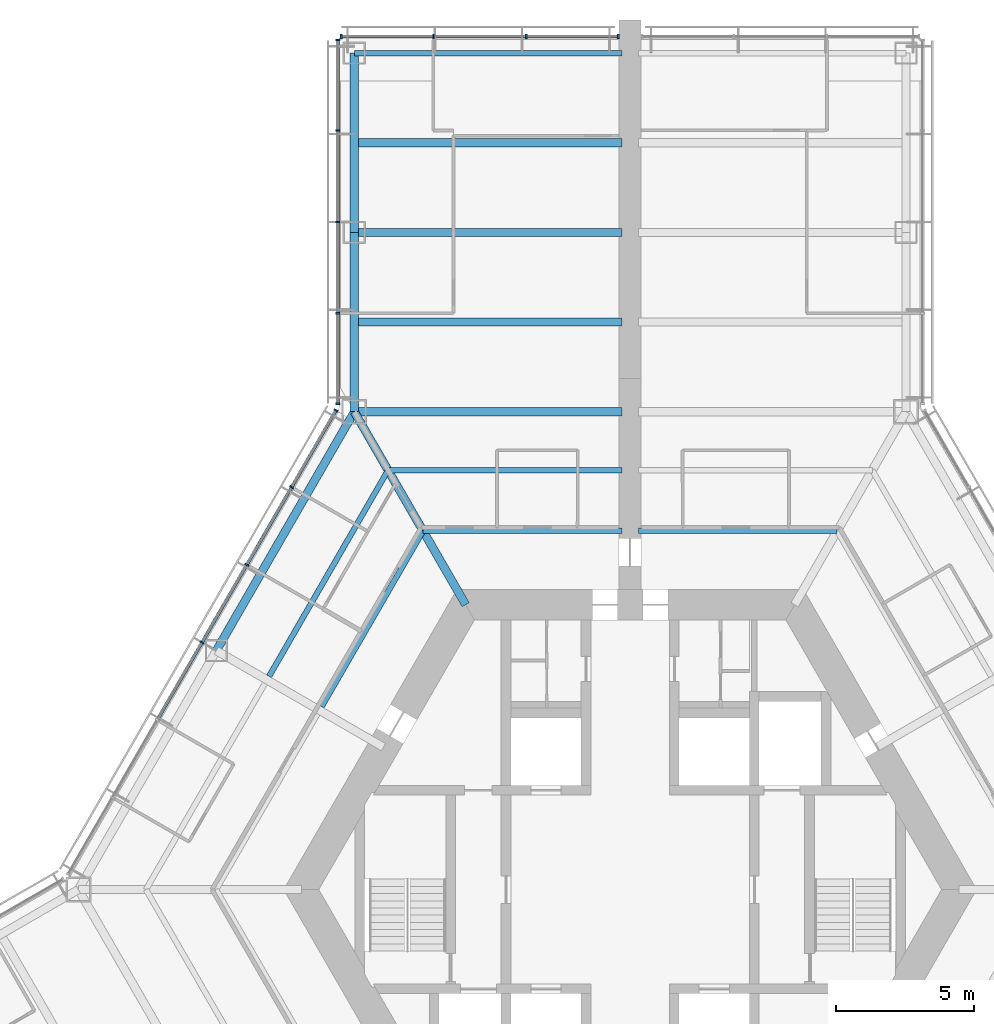
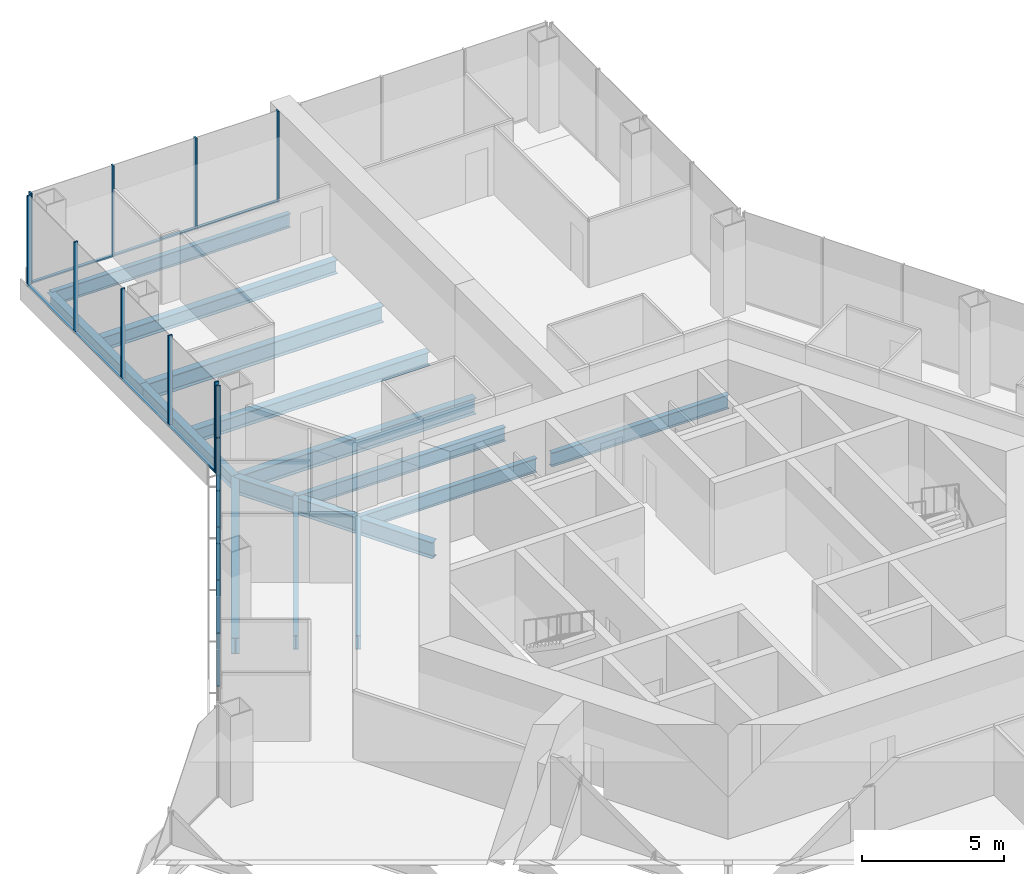
# One storey, part 7 of 18: 24 members, 14 beams, 3 elements without a shape of their own.
"""IFC4 building model written with IfcOpenShell, lengths in metres."""

from ifc_helpers import new_model, si_unit, direction, frame, origin, origin_2d, place, context, subcontext, project, spatial, rectangle, i_section, extrude, material, material_profile, profile_set, type_object, element, aggregate, save


model = new_model("IFC4")

# Units and contexts
model_context = context("Model", 3, precision=1e-05, world=origin(), true_north=direction((0.0, 1.0)))
body_context = subcontext(model_context, "Body", "Model", "MODEL_VIEW")
ifc_project = project(units=[si_unit("LENGTHUNIT", "METRE"), si_unit("AREAUNIT", "SQUARE_METRE"), si_unit("VOLUMEUNIT", "CUBIC_METRE"), si_unit("PLANEANGLEUNIT", "RADIAN"), si_unit("MASSUNIT", "GRAM", prefix="KILO")], contexts=[model_context])

# Site, building, storey
site_placement = place(None, origin())
site = spatial("IfcSite", under=ifc_project, at=site_placement, CompositionType="ELEMENT")
building_placement = place(site_placement, origin())
building = spatial("IfcBuilding", under=site, at=building_placement, Name="Kasaneha Research Tower", CompositionType="ELEMENT")
storey_placement = place(building_placement, frame((0.0, 0.0, 69.0)))
storey = spatial("IfcBuildingStorey", under=building, at=storey_placement, Name="L17", CompositionType="ELEMENT", Elevation=69.0)

# Beams
ifc_material_1 = material(Name="Steel SN490B", Category="steel")
ifc_material_profile_1 = material_profile(ifc_material_1, i_section(OverallWidth=0.199951171875, OverallDepth=0.60009765625, WebThickness=0.010986328125, FlangeThickness=0.01708984375, FilletRadius=0.012939453125, at=origin_2d()), Name="H-600x200x11x17")
ifc_profile_set_1 = profile_set([ifc_material_profile_1], Name="Steel SN490B")
beam_type_1 = type_object("IfcBeamType", Name="B1-3 secondary beam H-600x200x11x17", PredefinedType="JOIST", material=ifc_profile_set_1)
for number, where, z_axis, x_axis, name in (
    (1, (7.505615234375, 13.0, -0.449951171875), (-1.0, 0.0, 0.0), (0.0, -1.0, 0.0), "Secondary beam RS090L1 L17"),
    (2, (-7.505615234375, 13.0, -0.449951171875), (1.0, 0.0, 0.0), (0.0, 1.0, 0.0), "Secondary beam RS090R1 L17"),
):
    element("IfcBeam", number, at=place(storey_placement, frame(where, z_axis=z_axis, x_axis=x_axis)), inside=storey, type_object=beam_type_1, Name=name, PredefinedType="JOIST", context=body_context, shape_type="SweptSolid", body=[
        extrude(i_section(OverallWidth=0.199951171875, OverallDepth=0.60009765625, WebThickness=0.010986328125, FlangeThickness=0.01708984375, FilletRadius=0.012939453125, at=origin_2d()), origin(), (0.0, 0.0, 1.0), 7.20556640625),
    ])
beam_1_placement = place(storey_placement, frame((-8.775634765625, 15.199951171875, -0.449951171875), z_axis=(1.0, 0.0, 0.0), x_axis=(0.0, 1.0, 0.0)))
element("IfcBeam", 3, at=beam_1_placement, inside=storey, type_object=beam_type_1, Name="Secondary beam RS090R2 L17", PredefinedType="JOIST", context=body_context, shape_type="SweptSolid", body=[
    extrude(i_section(OverallWidth=0.199951171875, OverallDepth=0.60009765625, WebThickness=0.010986328125, FlangeThickness=0.01708984375, FilletRadius=0.012939453125, at=origin_2d()), origin(), (0.0, 0.0, 1.0), 8.4755859375),
])
beam_2_placement = place(storey_placement, frame((-7.505615234375, 13.0, -0.449951171875), z_axis=(-0.499994443168, -0.866028611999, 0.0), x_axis=(0.866028611999, -0.499994443168, 0.0)))
element("IfcBeam", 4, at=beam_2_placement, inside=storey, type_object=beam_type_1, Name="Secondary beam RS150L1 L17", PredefinedType="JOIST", context=body_context, shape_type="SweptSolid", body=[
    extrude(i_section(OverallWidth=0.199951171875, OverallDepth=0.60009765625, WebThickness=0.010986328125, FlangeThickness=0.01708984375, FilletRadius=0.012939453125, at=origin_2d()), origin(), (0.0, 0.0, 1.0), 7.35546875),
])
beam_3_placement = place(storey_placement, frame((-8.775634765625, 15.199951171875, -0.449951171875), z_axis=(-0.500017275495, -0.866015429543, 0.0), x_axis=(0.866015429543, -0.500017275495, 0.0)))
element("IfcBeam", 5, at=beam_3_placement, inside=storey, type_object=beam_type_1, Name="Secondary beam RS150L2 L17", PredefinedType="JOIST", context=body_context, shape_type="SweptSolid", body=[
    extrude(i_section(OverallWidth=0.199951171875, OverallDepth=0.60009765625, WebThickness=0.010986328125, FlangeThickness=0.01708984375, FilletRadius=0.012939453125, at=origin_2d()), origin(), (0.0, 0.0, 1.0), 8.625732421875),
])
ifc_material_2 = material(Name="Steel SN490B", Category="steel")
ifc_material_profile_2 = material_profile(ifc_material_2, i_section(OverallWidth=0.300048828125, OverallDepth=0.58203125, WebThickness=0.011962890625, FlangeThickness=0.01708984375, FilletRadius=0.012939453125, at=origin_2d()), Name="H-582x300x12x17")
ifc_profile_set_2 = profile_set([ifc_material_profile_2], Name="Steel SN490B")
beam_type_2 = type_object("IfcBeamType", Name="B2-3 secondary beam H-582x300x12x17", PredefinedType="JOIST", material=ifc_profile_set_2)
for number, where, z_axis, x_axis, name in (
    (6, (-10.0, 20.570556640625, -0.44091796875), (1.0, 0.0, 0.0), (0.0, 1.0, 0.0), "Secondary beam WBAN1 L17"),
    (7, (-10.0, 27.070556640625, -0.44091796875), (1.0, 0.0, 0.0), (0.0, 1.0, 0.0), "Secondary beam WBAN2 L17"),
):
    element("IfcBeam", number, at=place(storey_placement, frame(where, z_axis=z_axis, x_axis=x_axis)), inside=storey, type_object=beam_type_2, Name=name, PredefinedType="JOIST", context=body_context, shape_type="SweptSolid", body=[
        extrude(i_section(OverallWidth=0.300048828125, OverallDepth=0.58203125, WebThickness=0.011962890625, FlangeThickness=0.01708984375, FilletRadius=0.012939453125, at=origin_2d()), origin(), (0.0, 0.0, 1.0), 9.699951171875),
    ])

# Curtain wall, members
ifc_material_3 = material(Name="Glass and aluminium", Category="aluminium")
curtain_wall_type = type_object("IfcCurtainWallType", Name="Low-rise office curtain wall", PredefinedType="USERDEFINED", material=ifc_material_3)
curtain_wall_1_placement = place(storey_placement, origin())
curtain_wall_1 = element("IfcCurtainWall", 8, at=curtain_wall_1_placement, inside=storey, type_object=curtain_wall_type, Name="CW-O1 L17 run 10a", ObjectType="UNITISED CURTAIN WALL", PredefinedType="USERDEFINED")
ifc_material_4 = material(Name="Aluminium 6063-T6", Category="aluminium")
ifc_material_profile_3 = material_profile(ifc_material_4, rectangle(XDim=0.06005859375, YDim=0.159912109375, at=origin_2d()), Name="CW-O1 mullion 60x160")
ifc_profile_set_3 = profile_set([ifc_material_profile_3], Name="Aluminium 6063-T6")
member_type_1 = type_object("IfcMemberType", Name="CW-O1 mullion", PredefinedType="MULLION", material=ifc_profile_set_3)
member_1_placement = place(storey_placement, frame((-0.429931640625, 30.92041015625, 0.0), z_axis=(0.0, 0.0, 1.0), x_axis=(-1.0, 0.0, 0.0)))
member_1 = element("IfcMember", 9, at=member_1_placement, type_object=member_type_1, Name="CW-O1 mullion 1", PredefinedType="MULLION", context=body_context, shape_type="SweptSolid", body=[
    extrude(rectangle(XDim=0.06005859375, YDim=0.159912109375, at=origin_2d()), origin(), (0.0, 0.0, 1.0), 3.89990234375),
])
member_2_placement = place(storey_placement, frame((-3.7666015625, 30.92041015625, 0.0), z_axis=(0.0, 0.0, 1.0), x_axis=(-1.0, 0.0, 0.0)))
member_2 = element("IfcMember", 10, at=member_2_placement, type_object=member_type_1, Name="CW-O1 mullion 2", PredefinedType="MULLION", context=body_context, shape_type="SweptSolid", body=[
    extrude(rectangle(XDim=0.06005859375, YDim=0.159912109375, at=origin_2d()), origin(), (0.0, 0.0, 1.0), 3.89990234375),
])
member_3_placement = place(storey_placement, frame((-7.13330078125, 30.92041015625, 0.0), z_axis=(0.0, 0.0, 1.0), x_axis=(-1.0, 0.0, 0.0)))
member_3 = element("IfcMember", 11, at=member_3_placement, type_object=member_type_1, Name="CW-O1 mullion 3", PredefinedType="MULLION", context=body_context, shape_type="SweptSolid", body=[
    extrude(rectangle(XDim=0.06005859375, YDim=0.159912109375, at=origin_2d()), origin(), (0.0, 0.0, 1.0), 3.89990234375),
])
member_4_placement = place(storey_placement, frame((-10.469970703125, 30.92041015625, 0.0), z_axis=(0.0, 0.0, 1.0), x_axis=(-1.0, 0.0, 0.0)))
member_4 = element("IfcMember", 12, at=member_4_placement, type_object=member_type_1, Name="CW-O1 mullion 4", PredefinedType="MULLION", context=body_context, shape_type="SweptSolid", body=[
    extrude(rectangle(XDim=0.06005859375, YDim=0.159912109375, at=origin_2d()), origin(), (0.0, 0.0, 1.0), 3.89990234375),
])

curtain_wall_2_placement = place(storey_placement, origin())
curtain_wall_2 = element("IfcCurtainWall", 13, at=curtain_wall_2_placement, inside=storey, type_object=curtain_wall_type, Name="CW-O1 L17 run 11a", ObjectType="UNITISED CURTAIN WALL", PredefinedType="USERDEFINED")
member_5_placement = place(storey_placement, frame((-10.60009765625, 30.79052734375, 0.0), z_axis=(0.0, 0.0, 1.0), x_axis=(0.0, -1.0, 0.0)))
member_5 = element("IfcMember", 14, at=member_5_placement, type_object=member_type_1, Name="CW-O1 mullion 1", PredefinedType="MULLION", context=body_context, shape_type="SweptSolid", body=[
    extrude(rectangle(XDim=0.06005859375, YDim=0.159912109375, at=origin_2d()), origin(), (0.0, 0.0, 1.0), 3.89990234375),
])
member_6_placement = place(storey_placement, frame((-10.60009765625, 27.5107421875, 0.0), z_axis=(0.0, 0.0, 1.0), x_axis=(0.0, -1.0, 0.0)))
member_6 = element("IfcMember", 15, at=member_6_placement, type_object=member_type_1, Name="CW-O1 mullion 2", PredefinedType="MULLION", context=body_context, shape_type="SweptSolid", body=[
    extrude(rectangle(XDim=0.06005859375, YDim=0.159912109375, at=origin_2d()), origin(), (0.0, 0.0, 1.0), 3.89990234375),
])
member_7_placement = place(storey_placement, frame((-10.60009765625, 24.200927734375, 0.0), z_axis=(0.0, 0.0, 1.0), x_axis=(0.0, -1.0, 0.0)))
member_7 = element("IfcMember", 16, at=member_7_placement, type_object=member_type_1, Name="CW-O1 mullion 3", PredefinedType="MULLION", context=body_context, shape_type="SweptSolid", body=[
    extrude(rectangle(XDim=0.06005859375, YDim=0.159912109375, at=origin_2d()), origin(), (0.0, 0.0, 1.0), 3.89990234375),
])
member_8_placement = place(storey_placement, frame((-10.60009765625, 20.89111328125, 0.0), z_axis=(0.0, 0.0, 1.0), x_axis=(0.0, -1.0, 0.0)))
member_8 = element("IfcMember", 17, at=member_8_placement, type_object=member_type_1, Name="CW-O1 mullion 4", PredefinedType="MULLION", context=body_context, shape_type="SweptSolid", body=[
    extrude(rectangle(XDim=0.06005859375, YDim=0.159912109375, at=origin_2d()), origin(), (0.0, 0.0, 1.0), 3.89990234375),
])
member_9_placement = place(storey_placement, frame((-10.60009765625, 17.611328125, 0.0), z_axis=(0.0, 0.0, 1.0), x_axis=(0.0, -1.0, 0.0)))
member_9 = element("IfcMember", 18, at=member_9_placement, type_object=member_type_1, Name="CW-O1 mullion 5", PredefinedType="MULLION", context=body_context, shape_type="SweptSolid", body=[
    extrude(rectangle(XDim=0.06005859375, YDim=0.159912109375, at=origin_2d()), origin(), (0.0, 0.0, 1.0), 3.89990234375),
])

curtain_wall_3_placement = place(storey_placement, origin())
curtain_wall_3 = element("IfcCurtainWall", 19, at=curtain_wall_3_placement, inside=storey, type_object=curtain_wall_type, Name="CW-O1 L17 run 12a", ObjectType="UNITISED CURTAIN WALL", PredefinedType="USERDEFINED")
member_10_placement = place(storey_placement, frame((-10.6650390625, 17.36865234375, 0.0), z_axis=(0.0, 0.0, 1.0), x_axis=(-0.49999996188, -0.866025425793, 0.0)))
member_10 = element("IfcMember", 20, at=member_10_placement, type_object=member_type_1, Name="CW-O1 mullion 1", PredefinedType="MULLION", context=body_context, shape_type="SweptSolid", body=[
    extrude(rectangle(XDim=0.06005859375, YDim=0.159912109375, at=origin_2d()), origin(), (0.0, 0.0, 1.0), 3.89990234375),
])
member_11_placement = place(storey_placement, frame((-12.273193359375, 14.583251953125, 0.0), z_axis=(0.0, 0.0, 1.0), x_axis=(-0.49999996188, -0.866025425793, 0.0)))
member_11 = element("IfcMember", 21, at=member_11_placement, type_object=member_type_1, Name="CW-O1 mullion 2", PredefinedType="MULLION", context=body_context, shape_type="SweptSolid", body=[
    extrude(rectangle(XDim=0.06005859375, YDim=0.159912109375, at=origin_2d()), origin(), (0.0, 0.0, 1.0), 3.89990234375),
])
member_12_placement = place(storey_placement, frame((-13.896484375, 11.771728515625, 0.0), z_axis=(0.0, 0.0, 1.0), x_axis=(-0.49999996188, -0.866025425793, 0.0)))
member_12 = element("IfcMember", 22, at=member_12_placement, type_object=member_type_1, Name="CW-O1 mullion 3", PredefinedType="MULLION", context=body_context, shape_type="SweptSolid", body=[
    extrude(rectangle(XDim=0.06005859375, YDim=0.159912109375, at=origin_2d()), origin(), (0.0, 0.0, 1.0), 3.89990234375),
])
member_13_placement = place(storey_placement, frame((-15.51953125, 8.960205078125, 0.0), z_axis=(0.0, 0.0, 1.0), x_axis=(-0.49999996188, -0.866025425793, 0.0)))
member_13 = element("IfcMember", 23, at=member_13_placement, type_object=member_type_1, Name="CW-O1 mullion 4", PredefinedType="MULLION", context=body_context, shape_type="SweptSolid", body=[
    extrude(rectangle(XDim=0.06005859375, YDim=0.159912109375, at=origin_2d()), origin(), (0.0, 0.0, 1.0), 3.89990234375),
])

# Member
ifc_material_5 = material(Name="Aluminium 6063-T6", Category="aluminium")
ifc_material_profile_4 = material_profile(ifc_material_5, rectangle(XDim=0.1201171875, YDim=0.06005859375, at=origin_2d()), Name="CW-O1 transom 120x60")
ifc_profile_set_4 = profile_set([ifc_material_profile_4], Name="Aluminium 6063-T6")
member_type_2 = type_object("IfcMemberType", Name="CW-O1 transom", PredefinedType="USERDEFINED", material=ifc_profile_set_4)
member_14_placement = place(storey_placement, frame((-0.4599609375, 30.92041015625, 0.030029296875), z_axis=(-1.0, 0.0, 0.0), x_axis=(0.0, -1.0, 0.0)))
member_14 = element("IfcMember", 24, at=member_14_placement, type_object=member_type_2, Name="CW-O1 transom 1", ObjectType="TRANSOM", PredefinedType="USERDEFINED", context=body_context, shape_type="SweptSolid", body=[
    extrude(rectangle(XDim=0.1201171875, YDim=0.06005859375, at=origin_2d()), origin(), (0.0, 0.0, 1.0), 3.276611328125),
])

member_15_placement = place(storey_placement, frame((-3.796630859375, 30.92041015625, 0.030029296875), z_axis=(-1.0, 0.0, 0.0), x_axis=(0.0, -1.0, 0.0)))
member_15 = element("IfcMember", 25, at=member_15_placement, type_object=member_type_2, Name="CW-O1 transom 2", ObjectType="TRANSOM", PredefinedType="USERDEFINED", context=body_context, shape_type="SweptSolid", body=[
    extrude(rectangle(XDim=0.1201171875, YDim=0.06005859375, at=origin_2d()), origin(), (0.0, 0.0, 1.0), 3.306640625),
])

member_16_placement = place(storey_placement, frame((-7.163330078125, 30.92041015625, 0.030029296875), z_axis=(-1.0, 0.0, 0.0), x_axis=(0.0, -1.0, 0.0)))
member_16 = element("IfcMember", 26, at=member_16_placement, type_object=member_type_2, Name="CW-O1 transom 3", ObjectType="TRANSOM", PredefinedType="USERDEFINED", context=body_context, shape_type="SweptSolid", body=[
    extrude(rectangle(XDim=0.1201171875, YDim=0.06005859375, at=origin_2d()), origin(), (0.0, 0.0, 1.0), 3.276611328125),
])

aggregate(curtain_wall_1, [member_1, member_2, member_3, member_4, member_14, member_15, member_16])

member_17_placement = place(storey_placement, frame((-10.60009765625, 30.760498046875, 0.030029296875), z_axis=(0.0, -1.0, 0.0), x_axis=(1.0, 0.0, 0.0)))
member_17 = element("IfcMember", 27, at=member_17_placement, type_object=member_type_2, Name="CW-O1 transom 1", ObjectType="TRANSOM", PredefinedType="USERDEFINED", context=body_context, shape_type="SweptSolid", body=[
    extrude(rectangle(XDim=0.1201171875, YDim=0.06005859375, at=origin_2d()), origin(), (0.0, 0.0, 1.0), 3.2197265625),
])

member_18_placement = place(storey_placement, frame((-10.60009765625, 27.480712890625, 0.030029296875), z_axis=(0.0, -1.0, 0.0), x_axis=(1.0, 0.0, 0.0)))
member_18 = element("IfcMember", 28, at=member_18_placement, type_object=member_type_2, Name="CW-O1 transom 2", ObjectType="TRANSOM", PredefinedType="USERDEFINED", context=body_context, shape_type="SweptSolid", body=[
    extrude(rectangle(XDim=0.1201171875, YDim=0.06005859375, at=origin_2d()), origin(), (0.0, 0.0, 1.0), 3.249755859375),
])

member_19_placement = place(storey_placement, frame((-10.60009765625, 24.1708984375, 0.030029296875), z_axis=(0.0, -1.0, 0.0), x_axis=(1.0, 0.0, 0.0)))
member_19 = element("IfcMember", 29, at=member_19_placement, type_object=member_type_2, Name="CW-O1 transom 3", ObjectType="TRANSOM", PredefinedType="USERDEFINED", context=body_context, shape_type="SweptSolid", body=[
    extrude(rectangle(XDim=0.1201171875, YDim=0.06005859375, at=origin_2d()), origin(), (0.0, 0.0, 1.0), 3.249755859375),
])

member_20_placement = place(storey_placement, frame((-10.60009765625, 20.861083984375, 0.030029296875), z_axis=(0.0, -1.0, 0.0), x_axis=(1.0, 0.0, 0.0)))
member_20 = element("IfcMember", 30, at=member_20_placement, type_object=member_type_2, Name="CW-O1 transom 4", ObjectType="TRANSOM", PredefinedType="USERDEFINED", context=body_context, shape_type="SweptSolid", body=[
    extrude(rectangle(XDim=0.1201171875, YDim=0.06005859375, at=origin_2d()), origin(), (0.0, 0.0, 1.0), 3.2197265625),
])

aggregate(curtain_wall_2, [member_5, member_6, member_7, member_8, member_9, member_17, member_18, member_19, member_20])

member_21_placement = place(storey_placement, frame((-10.679931640625, 17.3427734375, 0.030029296875), z_axis=(-0.500023726918, -0.866011704609, 0.0), x_axis=(0.866011704609, -0.500023726918, 0.0)))
member_21 = element("IfcMember", 31, at=member_21_placement, type_object=member_type_2, Name="CW-O1 transom 1", ObjectType="TRANSOM", PredefinedType="USERDEFINED", context=body_context, shape_type="SweptSolid", body=[
    extrude(rectangle(XDim=0.1201171875, YDim=0.06005859375, at=origin_2d()), origin(), (0.0, 0.0, 1.0), 3.156494140625),
])

member_22_placement = place(storey_placement, frame((-12.2880859375, 14.55712890625, 0.030029296875), z_axis=(-0.500012062035, -0.866018439653, 0.0), x_axis=(0.866018439653, -0.500012062035, 0.0)))
member_22 = element("IfcMember", 32, at=member_22_placement, type_object=member_type_2, Name="CW-O1 transom 2", ObjectType="TRANSOM", PredefinedType="USERDEFINED", context=body_context, shape_type="SweptSolid", body=[
    extrude(rectangle(XDim=0.1201171875, YDim=0.06005859375, at=origin_2d()), origin(), (0.0, 0.0, 1.0), 3.1865234375),
])

member_23_placement = place(storey_placement, frame((-13.911376953125, 11.745849609375, 0.030029296875), z_axis=(-0.500012062035, -0.866018439653, 0.0), x_axis=(0.866018439653, -0.500012062035, 0.0)))
member_23 = element("IfcMember", 33, at=member_23_placement, type_object=member_type_2, Name="CW-O1 transom 3", ObjectType="TRANSOM", PredefinedType="USERDEFINED", context=body_context, shape_type="SweptSolid", body=[
    extrude(rectangle(XDim=0.1201171875, YDim=0.06005859375, at=origin_2d()), origin(), (0.0, 0.0, 1.0), 3.1865234375),
])

member_24_placement = place(storey_placement, frame((-15.53466796875, 8.934326171875, 0.030029296875), z_axis=(-0.500012062035, -0.866018439653, 0.0), x_axis=(0.866018439653, -0.500012062035, 0.0)))
member_24 = element("IfcMember", 34, at=member_24_placement, type_object=member_type_2, Name="CW-O1 transom 4", ObjectType="TRANSOM", PredefinedType="USERDEFINED", context=body_context, shape_type="SweptSolid", body=[
    extrude(rectangle(XDim=0.1201171875, YDim=0.06005859375, at=origin_2d()), origin(), (0.0, 0.0, 1.0), 3.1865234375),
])

aggregate(curtain_wall_3, [member_10, member_11, member_12, member_13, member_21, member_22, member_23, member_24])

# Beams
ifc_material_6 = material(Name="Steel SN490B", Category="steel")
ifc_material_profile_5 = material_profile(ifc_material_6, i_section(OverallWidth=0.300048828125, OverallDepth=0.699951171875, WebThickness=0.012939453125, FlangeThickness=0.02392578125, FilletRadius=0.01806640625, at=origin_2d()), Name="H-700x300x13x24")
ifc_profile_set_5 = profile_set([ifc_material_profile_5], Name="Steel SN490B")
beam_type_3 = type_object("IfcBeamType", Name="G1-3 radial girder H-700x300x13x24", PredefinedType="BEAM", material=ifc_profile_set_5)
beam_4_placement = place(storey_placement, frame((-5.961181640625, 10.324951171875, -0.5), z_axis=(-0.49999105496, 0.866030568144, 0.0), x_axis=(-0.866030568144, -0.49999105496, 0.0)))
element("IfcBeam", 35, at=beam_4_placement, inside=storey, type_object=beam_type_3, Name="Radial girder RV120 L17", PredefinedType="BEAM", context=body_context, shape_type="SweptSolid", body=[
    extrude(i_section(OverallWidth=0.300048828125, OverallDepth=0.699951171875, WebThickness=0.012939453125, FlangeThickness=0.02392578125, FilletRadius=0.01806640625, at=origin_2d()), origin(), (0.0, 0.0, 1.0), 8.077880859375),
])
ifc_material_7 = material(Name="Steel SN490B", Category="steel")
ifc_material_profile_6 = material_profile(ifc_material_7, i_section(OverallWidth=0.300048828125, OverallDepth=0.69189453125, WebThickness=0.012939453125, FlangeThickness=0.02001953125, FilletRadius=0.01806640625, at=origin_2d()), Name="H-692x300x13x20")
ifc_profile_set_6 = profile_set([ifc_material_profile_6], Name="Steel SN490B")
beam_type_4 = type_object("IfcBeamType", Name="G3-3 plate edge girder H-692x300x13x20", PredefinedType="BEAM", material=ifc_profile_set_6)
beam_5_placement = place(storey_placement, frame((-10.0, 17.320556640625, -0.49609375), z_axis=(1.0, 0.0, 0.0), x_axis=(0.0, 1.0, 0.0)))
element("IfcBeam", 36, at=beam_5_placement, inside=storey, type_object=beam_type_4, Name="Plate edge girder PEAN L17", PredefinedType="BEAM", context=body_context, shape_type="SweptSolid", body=[
    extrude(i_section(OverallWidth=0.300048828125, OverallDepth=0.69189453125, WebThickness=0.012939453125, FlangeThickness=0.02001953125, FilletRadius=0.01806640625, at=origin_2d()), origin(), (0.0, 0.0, 1.0), 9.699951171875),
])
ifc_material_8 = material(Name="Steel SN490B", Category="steel")
ifc_material_profile_7 = material_profile(ifc_material_8, i_section(OverallWidth=0.300048828125, OverallDepth=0.699951171875, WebThickness=0.012939453125, FlangeThickness=0.02392578125, FilletRadius=0.01806640625, at=origin_2d()), Name="H-700x300x13x24")
ifc_profile_set_7 = profile_set([ifc_material_profile_7], Name="Steel SN490B")
beam_type_5 = type_object("IfcBeamType", Name="G4-3 wing girder H-700x300x13x24", PredefinedType="BEAM", material=ifc_profile_set_7)
beam_6_placement = place(storey_placement, frame((-10.0, 23.820556640625, -0.5), z_axis=(1.0, 0.0, 0.0), x_axis=(0.0, 1.0, 0.0)))
element("IfcBeam", 37, at=beam_6_placement, inside=storey, type_object=beam_type_5, Name="Wing girder WGAN L17", PredefinedType="BEAM", context=body_context, shape_type="SweptSolid", body=[
    extrude(i_section(OverallWidth=0.300048828125, OverallDepth=0.699951171875, WebThickness=0.012939453125, FlangeThickness=0.02392578125, FilletRadius=0.01806640625, at=origin_2d()), origin(), (0.0, 0.0, 1.0), 9.699951171875),
])
ifc_material_9 = material(Name="Steel SN490B", Category="steel")
ifc_material_profile_8 = material_profile(ifc_material_9, i_section(OverallWidth=0.300048828125, OverallDepth=0.69189453125, WebThickness=0.012939453125, FlangeThickness=0.02001953125, FilletRadius=0.01806640625, at=origin_2d()), Name="H-692x300x13x20")
ifc_profile_set_8 = profile_set([ifc_material_profile_8], Name="Steel SN490B")
beam_type_6 = type_object("IfcBeamType", Name="SB1-3 spandrel beam H-692x300x13x20", PredefinedType="SPANDREL", material=ifc_profile_set_8)
beam_7_placement = place(storey_placement, frame((-10.0, 17.320556640625, -0.49609375), z_axis=(-0.499993662806, -0.866029062534, 0.0), x_axis=(0.866029062534, -0.499993662806, 0.0)))
element("IfcBeam", 38, at=beam_7_placement, inside=storey, type_object=beam_type_6, Name="Spandrel beam SR150L L17", PredefinedType="SPANDREL", context=body_context, shape_type="SweptSolid", body=[
    extrude(i_section(OverallWidth=0.300048828125, OverallDepth=0.69189453125, WebThickness=0.012939453125, FlangeThickness=0.02001953125, FilletRadius=0.01806640625, at=origin_2d()), origin(), (0.0, 0.0, 1.0), 10.000244140625),
])
ifc_material_10 = material(Name="Steel SN490B", Category="steel")
ifc_material_profile_9 = material_profile(ifc_material_10, i_section(OverallWidth=0.300048828125, OverallDepth=0.58203125, WebThickness=0.011962890625, FlangeThickness=0.01708984375, FilletRadius=0.012939453125, at=origin_2d()), Name="H-582x300x12x17")
ifc_profile_set_9 = profile_set([ifc_material_profile_9], Name="Steel SN490B")
beam_type_7 = type_object("IfcBeamType", Name="SB2-3 spandrel beam H-582x300x12x17", PredefinedType="SPANDREL", material=ifc_profile_set_9)
for number, where, z_axis, x_axis, name in (
    (39, (-10.0, 17.320556640625, -0.44091796875), (0.0, 1.0, 0.0), (-1.0, 0.0, 0.0), "Spandrel beam WSAN1 L17"),
    (40, (-10.0, 23.820556640625, -0.44091796875), (0.0, 1.0, 0.0), (-1.0, 0.0, 0.0), "Spandrel beam WSAN2 L17"),
):
    element("IfcBeam", number, at=place(storey_placement, frame(where, z_axis=z_axis, x_axis=x_axis)), inside=storey, type_object=beam_type_7, Name=name, PredefinedType="SPANDREL", context=body_context, shape_type="SweptSolid", body=[
        extrude(i_section(OverallWidth=0.300048828125, OverallDepth=0.58203125, WebThickness=0.011962890625, FlangeThickness=0.01708984375, FilletRadius=0.012939453125, at=origin_2d()), origin(), (0.0, 0.0, 1.0), 6.5),
    ])
ifc_material_11 = material(Name="Steel SN490B", Category="steel")
ifc_material_profile_10 = material_profile(ifc_material_11, i_section(OverallWidth=0.199951171875, OverallDepth=0.60009765625, WebThickness=0.010986328125, FlangeThickness=0.01708984375, FilletRadius=0.012939453125, at=origin_2d()), Name="H-600x200x11x17")
ifc_profile_set_10 = profile_set([ifc_material_profile_10], Name="Steel SN490B")
beam_type_8 = type_object("IfcBeamType", Name="SB3-3 spandrel beam H-600x200x11x17", PredefinedType="SPANDREL", material=ifc_profile_set_10)
beam_8_placement = place(storey_placement, frame((-10.0, 30.320556640625, -0.449951171875), z_axis=(1.0, 0.0, 0.0), x_axis=(0.0, 1.0, 0.0)))
element("IfcBeam", 41, at=beam_8_placement, inside=storey, type_object=beam_type_8, Name="Spandrel beam WTAN L17", PredefinedType="SPANDREL", context=body_context, shape_type="SweptSolid", body=[
    extrude(i_section(OverallWidth=0.199951171875, OverallDepth=0.60009765625, WebThickness=0.010986328125, FlangeThickness=0.01708984375, FilletRadius=0.012939453125, at=origin_2d()), origin(), (0.0, 0.0, 1.0), 9.699951171875),
])

save(model, "model.ifc")
